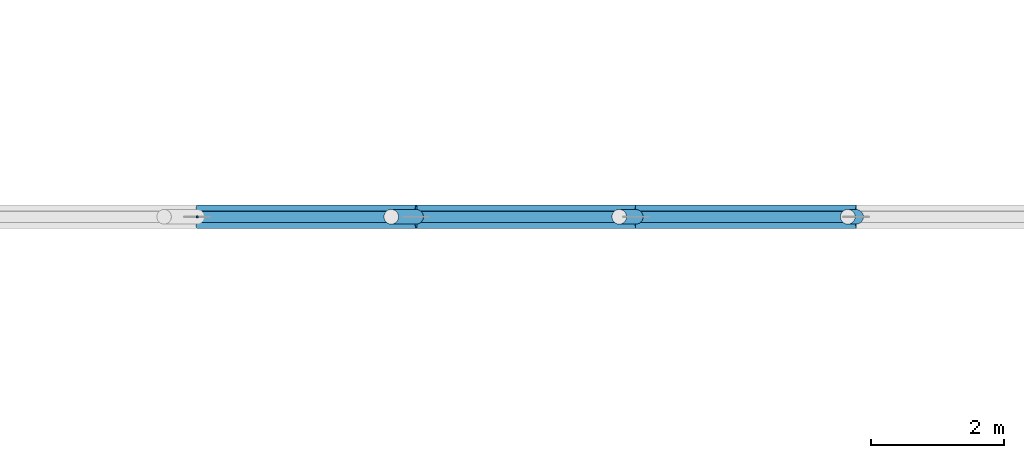
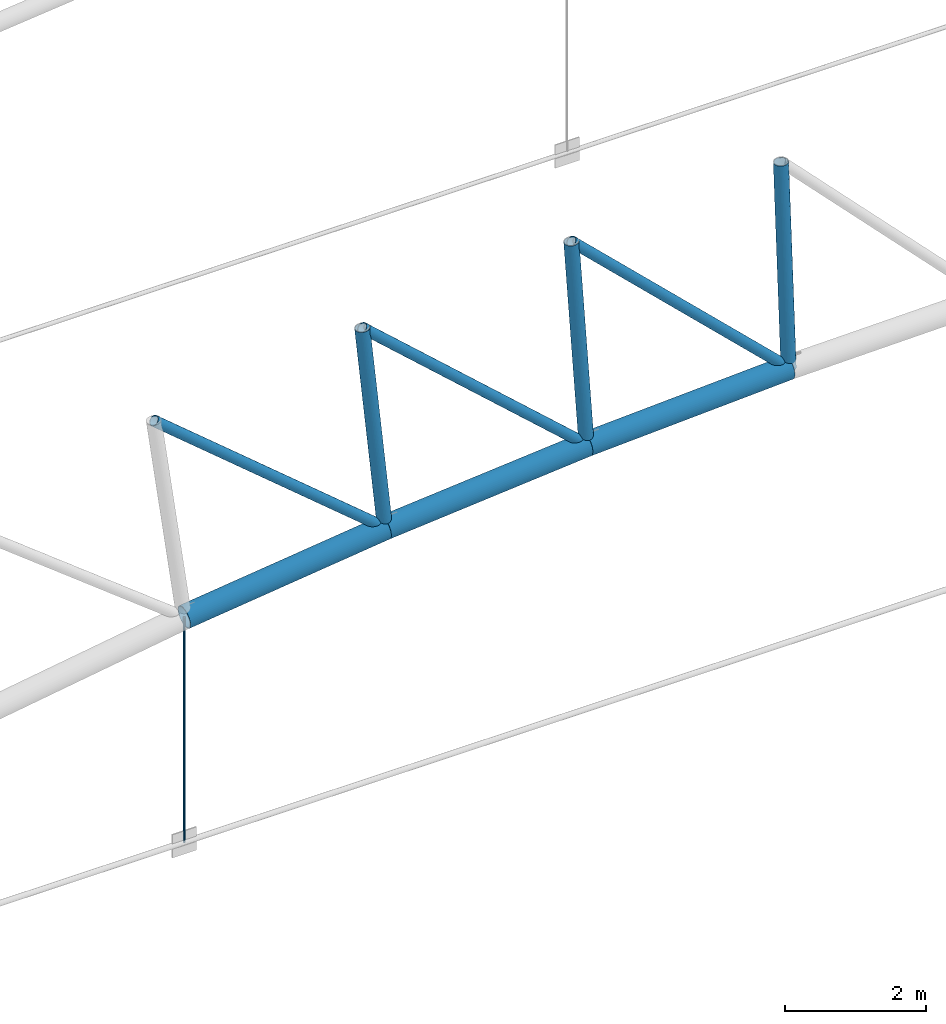
# One storey, part 153 of 321: 10 members.
"""IFC4 building model written with IfcOpenShell, lengths in metres."""

import ifcopenshell
import ifcopenshell.guid

model = None  # the IFC model being written
_history = None  # IfcOwnerHistory: only IFC2X3 demands one
_inside = {}  # id of a spatial element -> (the spatial element, [elements in it])
_under = {}  # id of a project, library or spatial element -> (it, [spatial elements below it])
_declared = {}  # id of a project -> (the project, [libraries it declares])
_typed = {}  # id of a type object -> (the type object, [elements of that type])
_made_of = {}  # id of a material, layer set ... -> (it, [elements and type objects made of it])


def new_model(schema):
    """Start an empty IFC model of exactly this schema.

    Asked for "IFC4X3", IfcOpenShell would pick the latest addendum, in which some entities
    have other attributes; the version numbers below select the first issue.
    IFC2X3 requires an IfcOwnerHistory on every rooted entity: one is made here for all.
    """
    global model, _history
    if schema == "IFC4X3":
        model = ifcopenshell.file(schema_version=(4, 3, 0, 0))
    else:
        model = ifcopenshell.file(schema=schema)
    _inside.clear()
    _under.clear()
    _declared.clear()
    _typed.clear()
    _made_of.clear()
    _history = None
    if model.schema == "IFC2X3":
        org = make("IfcOrganization", Name="unknown")
        user = make(
            "IfcPersonAndOrganization",
            ThePerson=make("IfcPerson", FamilyName="unknown"),
            TheOrganization=org,
        )
        app = make(
            "IfcApplication",
            ApplicationDeveloper=org,
            Version="unknown",
            ApplicationFullName="unknown",
            ApplicationIdentifier="unknown",
        )
        _history = make(
            "IfcOwnerHistory",
            OwningUser=user,
            OwningApplication=app,
            ChangeAction="ADDED",
            CreationDate=0,
        )
    return model


def make(cls, **values):
    """One entity of the class cls with the attributes given. An attribute that is None is left unset."""
    return model.create_entity(
        cls, **{name: value for name, value in values.items() if value is not None}
    )


def rooted(cls, **values):
    """An entity with a GlobalId (a new one), such as an element, a storey or a relation."""
    return make(cls, GlobalId=ifcopenshell.guid.new(), OwnerHistory=_history, **values)


def si_unit(unit_type, name, prefix=None):
    """IfcSIUnit, for example si_unit("LENGTHUNIT", "METRE", prefix="MILLI")."""
    return make("IfcSIUnit", UnitType=unit_type, Prefix=prefix, Name=name)


def assignment(units):
    """IfcUnitAssignment: the units of a project."""
    return None if units is None else make("IfcUnitAssignment", Units=units)


def point(xyz):
    """IfcCartesianPoint."""
    return None if xyz is None else make("IfcCartesianPoint", Coordinates=xyz)


def direction(xyz):
    """IfcDirection."""
    return None if xyz is None else make("IfcDirection", DirectionRatios=xyz)


def frame(location, z_axis=None, x_axis=None):
    """IfcAxis2Placement3D, a coordinate frame: its origin and axes. An axis left out is left unset."""
    return make(
        "IfcAxis2Placement3D",
        Location=point(location),
        Axis=direction(z_axis),
        RefDirection=direction(x_axis),
    )


def frame_2d(location, x_axis=None):
    """IfcAxis2Placement2D, a coordinate frame in the plane: its origin and x axis."""
    return make(
        "IfcAxis2Placement2D", Location=point(location), RefDirection=direction(x_axis)
    )


def origin():
    """The frame at (0, 0, 0) with its axes left unset."""
    return frame((0.0, 0.0, 0.0))


def origin_2d():
    """The frame at (0, 0) in the plane with its x axis left unset."""
    return frame_2d((0.0, 0.0))


def place(relative_to, where):
    """IfcLocalPlacement: puts the frame where relative to a parent placement (None: the world)."""
    return make(
        "IfcLocalPlacement", PlacementRelTo=relative_to, RelativePlacement=where
    )


def context(
    kind, dimensions, precision=None, world=None, true_north=None, identifier=None
):
    """IfcGeometricRepresentationContext, for example the 3D "Model" context."""
    return make(
        "IfcGeometricRepresentationContext",
        ContextIdentifier=identifier,
        ContextType=kind,
        CoordinateSpaceDimension=dimensions,
        Precision=precision,
        WorldCoordinateSystem=world,
        TrueNorth=true_north,
    )


def subcontext(parent, identifier, kind, view, scale=None):
    """IfcGeometricRepresentationSubContext, for example "Body" below "Model"."""
    return make(
        "IfcGeometricRepresentationSubContext",
        ContextIdentifier=identifier,
        ContextType=kind,
        ParentContext=parent,
        TargetScale=scale,
        TargetView=view,
    )


def project(units=None, contexts=None):
    """IfcProject with its units and contexts."""
    return rooted(
        "IfcProject",
        Name="project",
        RepresentationContexts=contexts,
        UnitsInContext=assignment(units),
    )


def spatial(cls, under=None, at=None, **own):
    """A site, building, storey or space (cls), placed at a placement, below another one or the project."""
    s = rooted(cls, ObjectPlacement=at, **own)
    if under is not None:
        _under.setdefault(under.id(), (under, []))[1].append(s)
    return s


def profile(cls, at=None, kind="AREA", **sizes):
    """A parametric profile (cls). Its sizes go by their IFC names, for example OverallWidth=200.0."""
    return make(cls, ProfileType=kind, Position=at, **sizes)


def circle(**sizes):
    """IfcCircleProfileDef."""
    return profile("IfcCircleProfileDef", **sizes)


def hollow_circle(**sizes):
    """IfcCircleHollowProfileDef."""
    return profile("IfcCircleHollowProfileDef", **sizes)


def extrude(swept, where, along, depth):
    """IfcExtrudedAreaSolid: the profile swept, set in the frame where, extruded along a direction by depth."""
    return make(
        "IfcExtrudedAreaSolid",
        SweptArea=swept,
        Position=where,
        ExtrudedDirection=direction(along),
        Depth=depth,
    )


def shape(context_of_items, identifier, shape_type, items):
    """IfcShapeRepresentation: the items that make up one representation, for example the "Body"."""
    return make(
        "IfcShapeRepresentation",
        ContextOfItems=context_of_items,
        RepresentationIdentifier=identifier,
        RepresentationType=shape_type,
        Items=items,
    )


def material(Name=None, Category=None):
    """IfcMaterial."""
    return make("IfcMaterial", Name=Name, Category=Category)


def material_profile(
    of_material, cross_section, Name=None, Category=None, Priority=None
):
    """IfcMaterialProfile: a cross section and its material."""
    return make(
        "IfcMaterialProfile",
        Name=Name,
        Material=of_material,
        Profile=cross_section,
        Priority=Priority,
        Category=Category,
    )


def profile_set(profiles, Name=None, composite=None):
    """IfcMaterialProfileSet."""
    return make(
        "IfcMaterialProfileSet",
        Name=Name,
        MaterialProfiles=profiles,
        CompositeProfile=composite,
    )


def made_of(thing, what):
    """Note that an element or type object is made of a material, layer set ...; save() writes the relation."""
    if what is not None:
        _made_of.setdefault(what.id(), (what, []))[1].append(thing)
    return thing


def type_object(cls, material=None, **own):
    """A type object (cls), such as IfcWallType, which elements share."""
    return made_of(rooted(cls, **own), material)


def element(
    cls,
    number,
    at=None,
    inside=None,
    cuts=None,
    type_object=None,
    material=None,
    context=None,
    identifier="Body",
    shape_type=None,
    held_by="IfcProductDefinitionShape",
    body=None,
    shapes=None,
    **own,
):
    """One element of the class cls, such as IfcWall. Its Tag is "e" and its number.

    at: its placement. inside: the storey or other place that contains it. cuts: it is an
    opening in that element (IfcRelVoidsElement). A single representation is given by context,
    identifier, shape_type and body (its items); several are given by shapes. held_by: the class
    of the entity that holds the representations. save() writes the other relations.
    """
    e = rooted(cls, Tag="e%d" % number, ObjectPlacement=at, **own)
    if body is not None:
        shapes = [shape(context, identifier, shape_type, body)]
    if shapes is not None:
        e.Representation = make(held_by, Representations=shapes)
    if inside is not None:
        _inside.setdefault(inside.id(), (inside, []))[1].append(e)
    if cuts is not None:
        rooted(
            "IfcRelVoidsElement", RelatingBuildingElement=cuts, RelatedOpeningElement=e
        )
    if type_object is not None:
        _typed.setdefault(type_object.id(), (type_object, []))[1].append(e)
    return made_of(e, material)


def aggregate(whole, parts):
    """IfcRelAggregates: a whole, such as a stair, and the parts it consists of."""
    return rooted("IfcRelAggregates", RelatingObject=whole, RelatedObjects=parts)


def save(model, path):
    """Write the relations noted so far, then the file.

    IfcRelAggregates (storeys below a building ...), IfcRelContainedInSpatialStructure (elements
    in a storey), IfcRelDefinesByType, IfcRelAssociatesMaterial and IfcRelDeclares: one each for
    every whole, place, type object, material and project.
    """
    for whole, parts in _under.values():
        aggregate(whole, parts)
    for where, things in _inside.values():
        rooted(
            "IfcRelContainedInSpatialStructure",
            RelatedElements=things,
            RelatingStructure=where,
        )
    for kind, things in _typed.values():
        rooted("IfcRelDefinesByType", RelatedObjects=things, RelatingType=kind)
    for what, things in _made_of.values():
        rooted("IfcRelAssociatesMaterial", RelatedObjects=things, RelatingMaterial=what)
    for by, libraries in _declared.values():
        rooted("IfcRelDeclares", RelatingContext=by, RelatedDefinitions=libraries)
    model.write(path)


model = new_model("IFC4")

# Units and contexts
model_context = context("Model", 3, precision=1e-05, world=origin(), true_north=direction((0.0, 1.0)))
body_context = subcontext(model_context, "Body", "Model", "MODEL_VIEW")
ifc_project = project(units=[si_unit("LENGTHUNIT", "METRE"), si_unit("AREAUNIT", "SQUARE_METRE"), si_unit("VOLUMEUNIT", "CUBIC_METRE"), si_unit("PLANEANGLEUNIT", "RADIAN"), si_unit("MASSUNIT", "GRAM", prefix="KILO")], contexts=[model_context])

# Site, building, storey
site_placement = place(None, origin())
site = spatial("IfcSite", under=ifc_project, at=site_placement, CompositionType="ELEMENT")
building_placement = place(site_placement, origin())
building = spatial("IfcBuilding", under=site, at=building_placement, Name="Ravi Spectrum Wholesale Market", CompositionType="ELEMENT")
storey_placement = place(building_placement, frame((0.0, 0.0, 10.800048828125)))
storey = spatial("IfcBuildingStorey", under=building, at=storey_placement, Name="L02", CompositionType="ELEMENT", Elevation=10.800048828125)

# Members
ifc_material_1 = material(Name="Steel S355", Category="steel")
ifc_material_profile_1 = material_profile(ifc_material_1, hollow_circle(Radius=0.084228515625, WallThickness=0.00634765625, at=origin_2d()))
ifc_profile_set_1 = profile_set([ifc_material_profile_1], Name="Steel S355")
member_type_1 = type_object("IfcMemberType", Name="CHS 168.3x6.3 brace", PredefinedType="BRACE", material=ifc_profile_set_1)
for number, where, z_axis, x_axis, name in (
    (1, (56.321533203125, 150.0, 7.45458984375), (0.766252893925, 0.0, -0.642539105854), (0.0, 1.0, 0.0), "H1-MB-L02-889"),
    (2, (59.726806640625, 150.0, 7.867919921875), (0.743626505142, 0.0, -0.668595259369), (0.0, 1.0, 0.0), "H1-MB-L02-890"),
):
    element("IfcMember", number, at=place(storey_placement, frame(where, z_axis=z_axis, x_axis=x_axis)), inside=storey, type_object=member_type_1, Name=name, PredefinedType="BRACE", context=body_context, shape_type="SweptSolid", body=[
        extrude(hollow_circle(Radius=0.084228515625, WallThickness=0.00634765625, at=origin_2d()), origin(), (0.0, 0.0, 1.0), 4.9296875),
    ])
member_1_placement = place(storey_placement, frame((63.14453125, 150.0, 8.163330078125), z_axis=(0.7201093859, 0.0, -0.69386055684), x_axis=(0.0, 1.0, 0.0)))
element("IfcMember", 3, at=member_1_placement, inside=storey, type_object=member_type_1, Name="H1-MB-L02-891", PredefinedType="BRACE", context=body_context, shape_type="SweptSolid", body=[
    extrude(hollow_circle(Radius=0.084228515625, WallThickness=0.00634765625, at=origin_2d()), origin(), (0.0, 0.0, 1.0), 4.929443359375),
])
ifc_material_2 = material(Name="Steel S355", Category="steel")
ifc_material_profile_2 = material_profile(ifc_material_2, hollow_circle(Radius=0.109619140625, WallThickness=0.008056640625, at=origin_2d()))
ifc_profile_set_2 = profile_set([ifc_material_profile_2], Name="Steel S355")
member_type_2 = type_object("IfcMemberType", Name="CHS 219.1x8 post", PredefinedType="POST", material=ifc_profile_set_2)
member_2_placement = place(storey_placement, frame((59.726806640625, 150.0, 7.867919921875), z_axis=(0.103350310801, 0.0, -0.994645018716), x_axis=(0.0, 1.0, 0.0)))
element("IfcMember", 4, at=member_2_placement, inside=storey, type_object=member_type_2, Name="H1-MB-L02-867", PredefinedType="POST", context=body_context, shape_type="SweptSolid", body=[
    extrude(hollow_circle(Radius=0.109619140625, WallThickness=0.008056640625, at=origin_2d()), origin(), (0.0, 0.0, 1.0), 3.60009765625),
])
member_3_placement = place(storey_placement, frame((63.14453125, 150.0, 8.163330078125), z_axis=(0.068904502548, 0.0, -0.997623260319), x_axis=(0.0, 1.0, 0.0)))
element("IfcMember", 5, at=member_3_placement, inside=storey, type_object=member_type_2, Name="H1-MB-L02-868", PredefinedType="POST", context=body_context, shape_type="SweptSolid", body=[
    extrude(hollow_circle(Radius=0.109619140625, WallThickness=0.008056640625, at=origin_2d()), origin(), (0.0, 0.0, 1.0), 3.599853515625),
])
member_4_placement = place(storey_placement, frame((66.5703125, 150.0, 8.3408203125), z_axis=(0.034450597287, 0.0, -0.999406401994), x_axis=(0.0, 1.0, 0.0)))
element("IfcMember", 6, at=member_4_placement, inside=storey, type_object=member_type_2, Name="H1-MB-L02-869", PredefinedType="POST", context=body_context, shape_type="SweptSolid", body=[
    extrude(hollow_circle(Radius=0.109619140625, WallThickness=0.008056640625, at=origin_2d()), origin(), (0.0, 0.0, 1.0), 3.60009765625),
])
ifc_material_3 = material(Name="Steel S355", Category="steel")
ifc_material_profile_3 = material_profile(ifc_material_3, hollow_circle(Radius=0.177734375, WallThickness=0.012451171875, at=origin_2d()))
ifc_profile_set_3 = profile_set([ifc_material_profile_3], Name="Steel S355")
member_type_3 = type_object("IfcMemberType", Name="CHS 355.6x12.5 chord", PredefinedType="CHORD", material=ifc_profile_set_3)
member_5_placement = place(storey_placement, frame((56.81689453125, 150.0, 3.888916015625), z_axis=(0.99272014244, 0.0, 0.120443840833), x_axis=(0.0, 1.0, 0.0)))
element("IfcMember", 7, at=member_5_placement, inside=storey, type_object=member_type_3, Name="H1-MB-L02-843", PredefinedType="CHORD", context=body_context, shape_type="SweptSolid", body=[
    extrude(hollow_circle(Radius=0.177734375, WallThickness=0.012451171875, at=origin_2d()), origin(), (0.0, 0.0, 1.0), 3.30615234375),
])
member_6_placement = place(storey_placement, frame((60.098876953125, 150.0, 4.287109375), z_axis=(0.99627955827, 0.0, 0.08618028645), x_axis=(0.0, 1.0, 0.0)))
element("IfcMember", 8, at=member_6_placement, inside=storey, type_object=member_type_3, Name="H1-MB-L02-844", PredefinedType="CHORD", context=body_context, shape_type="SweptSolid", body=[
    extrude(hollow_circle(Radius=0.177734375, WallThickness=0.012451171875, at=origin_2d()), origin(), (0.0, 0.0, 1.0), 3.305908203125),
])
member_7_placement = place(storey_placement, frame((63.392578125, 150.0, 4.572021484375), z_axis=(0.99866314533, 0.0, 0.051690638992), x_axis=(0.0, 1.0, 0.0)))
element("IfcMember", 9, at=member_7_placement, inside=storey, type_object=member_type_3, Name="H1-MB-L02-845", PredefinedType="CHORD", context=body_context, shape_type="SweptSolid", body=[
    extrude(hollow_circle(Radius=0.177734375, WallThickness=0.012451171875, at=origin_2d()), origin(), (0.0, 0.0, 1.0), 3.30615234375),
])
ifc_material_4 = material(Name="Steel S355", Category="steel")
ifc_material_profile_4 = material_profile(ifc_material_4, circle(Radius=0.01806640625, at=origin_2d()))
ifc_profile_set_4 = profile_set([ifc_material_profile_4], Name="Steel S355")
member_type_4 = type_object("IfcMemberType", Name="ROD 36 hanger", PredefinedType="STRUT", material=ifc_profile_set_4)
member_8_placement = place(storey_placement, frame((56.81689453125, 150.0, 0.0), z_axis=(0.0, 0.0, 1.0), x_axis=(1.0, 0.0, 0.0)))
element("IfcMember", 10, at=member_8_placement, inside=storey, type_object=member_type_4, Name="H1-MB-L02-906", PredefinedType="STRUT", context=body_context, shape_type="SweptSolid", body=[
    extrude(circle(Radius=0.01806640625, at=origin_2d()), origin(), (0.0, 0.0, 1.0), 3.888916015625),
])

save(model, "model.ifc")
